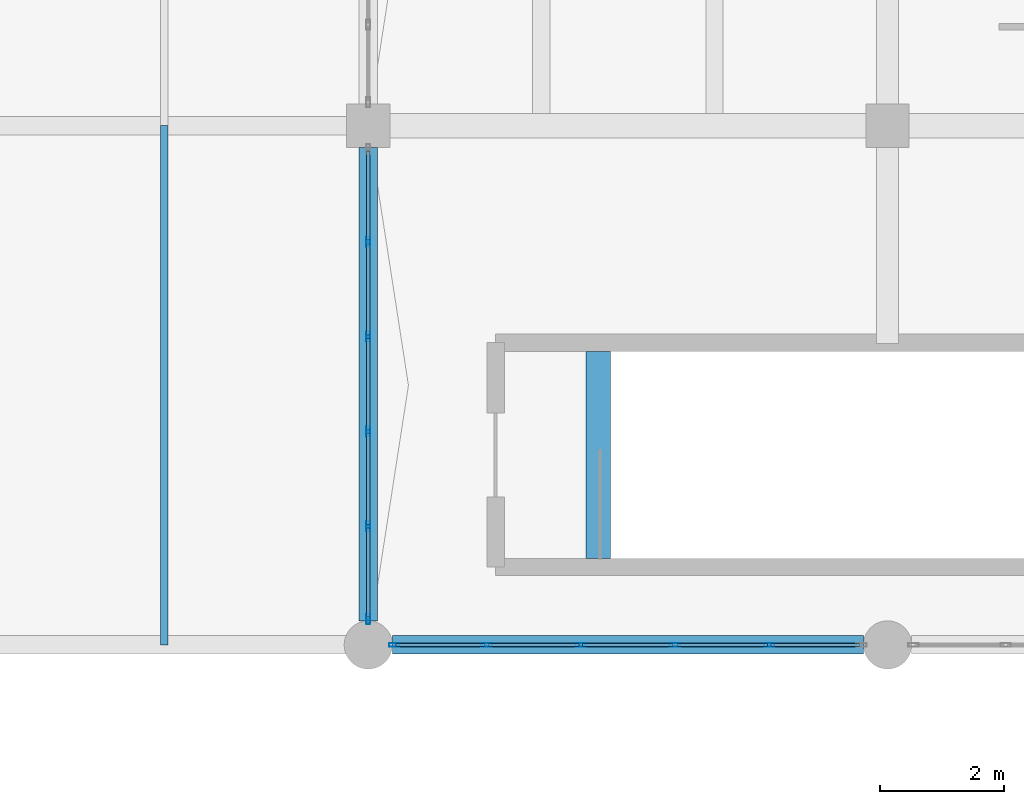
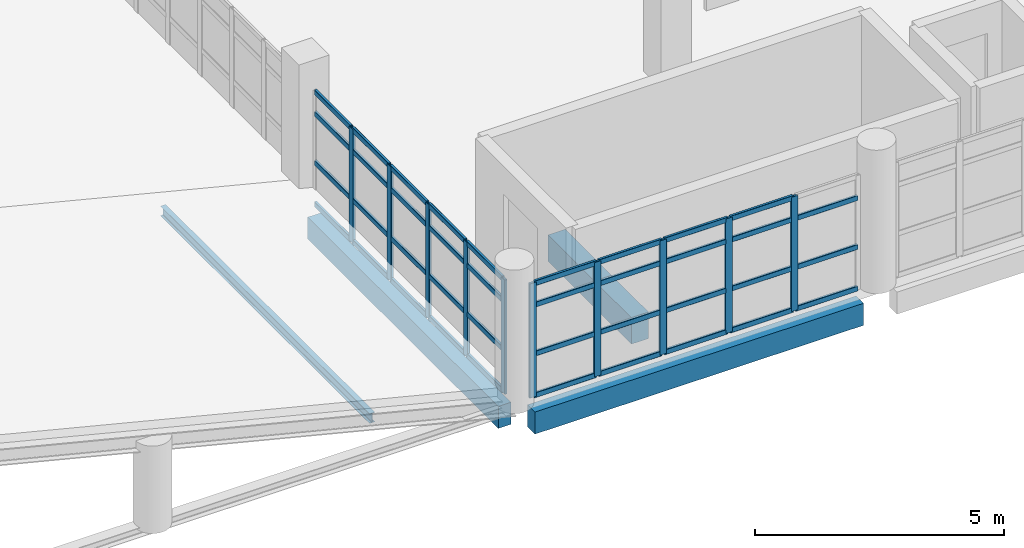
# One storey, part 53 of 95: 50 members, 3 beams, 2 elements without a shape of their own.
"""IFC4 building model written with IfcOpenShell, lengths in metres."""

from ifc_helpers import new_model, si_unit, direction, frame, origin, origin_2d, place, context, subcontext, project, spatial, rectangle, hollow_rectangle, i_section, extrude, material, layer, layer_set, material_profile, profile_set, type_object, element, aggregate, save


model = new_model("IFC4")

# Units and contexts
model_context = context("Model", 3, precision=1e-05, world=origin(), true_north=direction((0.0, 1.0)))
body_context = subcontext(model_context, "Body", "Model", "MODEL_VIEW")
ifc_project = project(units=[si_unit("LENGTHUNIT", "METRE"), si_unit("AREAUNIT", "SQUARE_METRE"), si_unit("VOLUMEUNIT", "CUBIC_METRE"), si_unit("PLANEANGLEUNIT", "RADIAN"), si_unit("MASSUNIT", "GRAM", prefix="KILO"), si_unit("THERMODYNAMICTEMPERATUREUNIT", "KELVIN"), si_unit("POWERUNIT", "WATT")], contexts=[model_context])

# Site, building, storey
site_placement = place(None, origin())
site = spatial("IfcSite", under=ifc_project, at=site_placement, CompositionType="ELEMENT")
building_placement = place(site_placement, origin())
building = spatial("IfcBuilding", under=site, at=building_placement, Name="Mavoryth Pier Ferry Terminal", CompositionType="ELEMENT")
storey_placement = place(building_placement, frame((0.0, 0.0, 9.60009765625)))
storey = spatial("IfcBuildingStorey", under=building, at=storey_placement, Name="L02", CompositionType="ELEMENT", Elevation=9.60009765625)

# Beam
ifc_material_1 = material(Name="Concrete C35/45", Category="concrete")
ifc_material_profile_1 = material_profile(ifc_material_1, rectangle(XDim=0.39990234375, YDim=0.64990234375, at=origin_2d()), Name="RC 400x650", Category="concrete")
ifc_profile_set_1 = profile_set([ifc_material_profile_1], Name="Concrete C35/45 - RC 400x650")
beam_type_1 = type_object("IfcBeamType", Name="Girder-RC-400x650", PredefinedType="BEAM", material=ifc_profile_set_1)
beam_1_placement = place(storey_placement, frame((79.320068359375, 73.800048828125, -0.3251953125), z_axis=(0.0, 1.0, 0.0), x_axis=(-1.0, 0.0, 0.0)))
element("IfcBeam", 1, at=beam_1_placement, inside=storey, type_object=beam_type_1, Name="Beam B02-BG05-1573", PredefinedType="BEAM", context=body_context, shape_type="SweptSolid", body=[
    extrude(rectangle(XDim=0.39990234375, YDim=0.64990234375, at=origin_2d()), origin(), (0.0, 0.0, 1.0), 3.349853515625),
])

# Curtain wall, members
ifc_material_2 = material(Name="Anodised Aluminium and Solar-Control Low-E Glass", Category="aluminium")
ifc_layer = layer(ifc_material_2, 0.159912109375, Name="Anodised Aluminium and Solar-Control Low-E Glass", Category="aluminium")
ifc_layer_set = layer_set([ifc_layer], Name="Anodised Aluminium and Solar-Control Low-E Glass - CW-Arrivals-Mod1400")
curtain_wall_type = type_object("IfcCurtainWallType", Name="CW-Arrivals-Mod1400", PredefinedType="USERDEFINED", material=ifc_layer_set)
curtain_wall_1_placement = place(storey_placement, origin())
curtain_wall_1 = element("IfcCurtainWall", 2, at=curtain_wall_1_placement, inside=storey, type_object=curtain_wall_type, Name="Curtain Wall CW-0222-072", ObjectType="UNITISED CURTAIN WALL", PredefinedType="USERDEFINED")
ifc_material_3 = material(Name="Anodised Aluminium EN AW-6063", Category="aluminium")
ifc_material_profile_2 = material_profile(ifc_material_3, hollow_rectangle(XDim=0.06005859375, YDim=0.1650390625, WallThickness=0.00390625, InnerFilletRadius=0.00390625, OuterFilletRadius=0.008056640625, at=origin_2d()), Name="AL-MULL 165x60x4", Category="aluminium")
ifc_profile_set_2 = profile_set([ifc_material_profile_2], Name="Anodised Aluminium EN AW-6063 - AL-MULL 165x60x4")
member_type_1 = type_object("IfcMemberType", Name="Mullion-Alum-165x60", PredefinedType="MULLION", material=ifc_profile_set_2)
member_1_placement = place(storey_placement, frame((75.60009765625, 78.91796875, 0.0), z_axis=(0.0, 0.0, 1.0), x_axis=(1.0, 0.0, 0.0)))
member_1 = element("IfcMember", 3, at=member_1_placement, type_object=member_type_1, Name="CW04 mullion 2", PredefinedType="MULLION", context=body_context, shape_type="SweptSolid", body=[
    extrude(hollow_rectangle(XDim=0.06005859375, YDim=0.1650390625, WallThickness=0.00390625, InnerFilletRadius=0.00390625, OuterFilletRadius=0.008056640625, at=origin_2d()), origin(), (0.0, 0.0, 1.0), 2.804931640625),
])
member_2_placement = place(storey_placement, frame((75.60009765625, 77.385986328125, 0.0), z_axis=(0.0, 0.0, 1.0), x_axis=(1.0, 0.0, 0.0)))
member_2 = element("IfcMember", 4, at=member_2_placement, type_object=member_type_1, Name="CW04 mullion 3", PredefinedType="MULLION", context=body_context, shape_type="SweptSolid", body=[
    extrude(hollow_rectangle(XDim=0.06005859375, YDim=0.1650390625, WallThickness=0.00390625, InnerFilletRadius=0.00390625, OuterFilletRadius=0.008056640625, at=origin_2d()), origin(), (0.0, 0.0, 1.0), 2.804931640625),
])
member_3_placement = place(storey_placement, frame((75.60009765625, 75.85400390625, 0.0), z_axis=(0.0, 0.0, 1.0), x_axis=(1.0, 0.0, 0.0)))
member_3 = element("IfcMember", 5, at=member_3_placement, type_object=member_type_1, Name="CW04 mullion 4", PredefinedType="MULLION", context=body_context, shape_type="SweptSolid", body=[
    extrude(hollow_rectangle(XDim=0.06005859375, YDim=0.1650390625, WallThickness=0.00390625, InnerFilletRadius=0.00390625, OuterFilletRadius=0.008056640625, at=origin_2d()), origin(), (0.0, 0.0, 1.0), 2.804931640625),
])
member_4_placement = place(storey_placement, frame((75.60009765625, 74.322021484375, 0.0), z_axis=(0.0, 0.0, 1.0), x_axis=(1.0, 0.0, 0.0)))
member_4 = element("IfcMember", 6, at=member_4_placement, type_object=member_type_1, Name="CW04 mullion 5", PredefinedType="MULLION", context=body_context, shape_type="SweptSolid", body=[
    extrude(hollow_rectangle(XDim=0.06005859375, YDim=0.1650390625, WallThickness=0.00390625, InnerFilletRadius=0.00390625, OuterFilletRadius=0.008056640625, at=origin_2d()), origin(), (0.0, 0.0, 1.0), 2.804931640625),
])
member_5_placement = place(storey_placement, frame((75.60009765625, 72.820068359375, 0.0), z_axis=(0.0, 0.0, 1.0), x_axis=(1.0, 0.0, 0.0)))
member_5 = element("IfcMember", 7, at=member_5_placement, type_object=member_type_1, Name="CW04 mullion 6", PredefinedType="MULLION", context=body_context, shape_type="SweptSolid", body=[
    extrude(hollow_rectangle(XDim=0.06005859375, YDim=0.1650390625, WallThickness=0.00390625, InnerFilletRadius=0.00390625, OuterFilletRadius=0.008056640625, at=origin_2d()), origin(), (0.0, 0.0, 1.0), 2.804931640625),
])

curtain_wall_2_placement = place(storey_placement, origin())
curtain_wall_2 = element("IfcCurtainWall", 8, at=curtain_wall_2_placement, inside=storey, type_object=curtain_wall_type, Name="Curtain Wall CW-0222-075", ObjectType="UNITISED CURTAIN WALL", PredefinedType="USERDEFINED")
member_6_placement = place(storey_placement, frame((76.02001953125, 72.39990234375, 0.0), z_axis=(0.0, 0.0, 1.0), x_axis=(0.0, 1.0, 0.0)))
member_6 = element("IfcMember", 9, at=member_6_placement, type_object=member_type_1, Name="CW04 mullion 1", PredefinedType="MULLION", context=body_context, shape_type="SweptSolid", body=[
    extrude(hollow_rectangle(XDim=0.06005859375, YDim=0.1650390625, WallThickness=0.00390625, InnerFilletRadius=0.00390625, OuterFilletRadius=0.008056640625, at=origin_2d()), origin(), (0.0, 0.0, 1.0), 2.804931640625),
])
member_7_placement = place(storey_placement, frame((77.513916015625, 72.39990234375, 0.0), z_axis=(0.0, 0.0, 1.0), x_axis=(0.0, 1.0, 0.0)))
member_7 = element("IfcMember", 10, at=member_7_placement, type_object=member_type_1, Name="CW04 mullion 2", PredefinedType="MULLION", context=body_context, shape_type="SweptSolid", body=[
    extrude(hollow_rectangle(XDim=0.06005859375, YDim=0.1650390625, WallThickness=0.00390625, InnerFilletRadius=0.00390625, OuterFilletRadius=0.008056640625, at=origin_2d()), origin(), (0.0, 0.0, 1.0), 2.804931640625),
])
member_8_placement = place(storey_placement, frame((79.0380859375, 72.39990234375, 0.0), z_axis=(0.0, 0.0, 1.0), x_axis=(0.0, 1.0, 0.0)))
member_8 = element("IfcMember", 11, at=member_8_placement, type_object=member_type_1, Name="CW04 mullion 3", PredefinedType="MULLION", context=body_context, shape_type="SweptSolid", body=[
    extrude(hollow_rectangle(XDim=0.06005859375, YDim=0.1650390625, WallThickness=0.00390625, InnerFilletRadius=0.00390625, OuterFilletRadius=0.008056640625, at=origin_2d()), origin(), (0.0, 0.0, 1.0), 2.804931640625),
])
member_9_placement = place(storey_placement, frame((80.56201171875, 72.39990234375, 0.0), z_axis=(0.0, 0.0, 1.0), x_axis=(0.0, 1.0, 0.0)))
member_9 = element("IfcMember", 12, at=member_9_placement, type_object=member_type_1, Name="CW04 mullion 4", PredefinedType="MULLION", context=body_context, shape_type="SweptSolid", body=[
    extrude(hollow_rectangle(XDim=0.06005859375, YDim=0.1650390625, WallThickness=0.00390625, InnerFilletRadius=0.00390625, OuterFilletRadius=0.008056640625, at=origin_2d()), origin(), (0.0, 0.0, 1.0), 2.804931640625),
])
member_10_placement = place(storey_placement, frame((82.0859375, 72.39990234375, 0.0), z_axis=(0.0, 0.0, 1.0), x_axis=(0.0, 1.0, 0.0)))
member_10 = element("IfcMember", 13, at=member_10_placement, type_object=member_type_1, Name="CW04 mullion 5", PredefinedType="MULLION", context=body_context, shape_type="SweptSolid", body=[
    extrude(hollow_rectangle(XDim=0.06005859375, YDim=0.1650390625, WallThickness=0.00390625, InnerFilletRadius=0.00390625, OuterFilletRadius=0.008056640625, at=origin_2d()), origin(), (0.0, 0.0, 1.0), 2.804931640625),
])

# Member
ifc_material_4 = material(Name="Steel S355J2", Category="steel")
ifc_material_profile_3 = material_profile(ifc_material_4, i_section(OverallWidth=0.1201171875, OverallDepth=0.239990234375, WebThickness=0.006103515625, FlangeThickness=0.009765625, FilletRadius=0.014892578125, at=origin_2d()), Name="IPE 240", Category="steel")
ifc_profile_set_3 = profile_set([ifc_material_profile_3], Name="Steel S355J2 - IPE 240")
member_type_2 = type_object("IfcMemberType", Name="Purlin-Roof-IPE240", PredefinedType="PURLIN", material=ifc_profile_set_3)
member_11_placement = place(storey_placement, frame((72.300048828125, 72.39990234375, 0.78076171875), z_axis=(0.0, 1.0, 0.0), x_axis=(-1.0, 0.0, 0.0)))
element("IfcMember", 14, at=member_11_placement, inside=storey, type_object=member_type_2, Name="Steel Member MB-L02-0211", PredefinedType="PURLIN", context=body_context, shape_type="SweptSolid", body=[
    extrude(i_section(OverallWidth=0.1201171875, OverallDepth=0.239990234375, WebThickness=0.006103515625, FlangeThickness=0.009765625, FilletRadius=0.014892578125, at=origin_2d()), origin(), (0.0, 0.0, 1.0), 8.400146484375),
])

# Beams
ifc_material_profile_4 = material_profile(ifc_material_1, rectangle(XDim=0.300048828125, YDim=0.5400390625, at=origin_2d()), Name="RC 300x540", Category="concrete")
ifc_profile_set_4 = profile_set([ifc_material_profile_4], Name="Concrete C35/45 - RC 300x540")
beam_type_2 = type_object("IfcBeamType", Name="Spandrel-RC-300x540", PredefinedType="SPANDREL", material=ifc_profile_set_4)
beam_2_placement = place(storey_placement, frame((75.989990234375, 72.39990234375, -0.550048828125), z_axis=(1.0, 0.0, 0.0), x_axis=(0.0, 1.0, 0.0)))
element("IfcBeam", 15, at=beam_2_placement, inside=storey, type_object=beam_type_2, Name="Beam B02-SP02-0718", PredefinedType="SPANDREL", context=body_context, shape_type="SweptSolid", body=[
    extrude(rectangle(XDim=0.300048828125, YDim=0.5400390625, at=origin_2d()), origin(), (0.0, 0.0, 1.0), 7.6201171875),
])
beam_3_placement = place(storey_placement, frame((75.60009765625, 72.7900390625, -0.550048828125), z_axis=(0.0, 1.0, 0.0), x_axis=(-1.0, 0.0, 0.0)))
element("IfcBeam", 16, at=beam_3_placement, inside=storey, type_object=beam_type_2, Name="Beam B02-SP02-0728", PredefinedType="SPANDREL", context=body_context, shape_type="SweptSolid", body=[
    extrude(rectangle(XDim=0.300048828125, YDim=0.5400390625, at=origin_2d()), origin(), (0.0, 0.0, 1.0), 7.659912109375),
])

# Member
ifc_material_profile_5 = material_profile(ifc_material_3, hollow_rectangle(XDim=0.06005859375, YDim=0.125, WallThickness=0.00390625, InnerFilletRadius=0.00390625, OuterFilletRadius=0.008056640625, at=origin_2d()), Name="AL-TRAN 125x60x4", Category="aluminium")
ifc_profile_set_5 = profile_set([ifc_material_profile_5], Name="Anodised Aluminium EN AW-6063 - AL-TRAN 125x60x4")
member_type_3 = type_object("IfcMemberType", Name="Transom-Alum-125x60", PredefinedType="USERDEFINED", material=ifc_profile_set_5)
member_12_placement = place(storey_placement, frame((75.60009765625, 80.389892578125, 0.02978515625), z_axis=(0.0, -1.0, 0.0), x_axis=(1.0, 0.0, 0.0)))
member_12 = element("IfcMember", 17, at=member_12_placement, type_object=member_type_3, Name="CW04 transom 1.1", ObjectType="TRANSOM", PredefinedType="USERDEFINED", context=body_context, shape_type="SweptSolid", body=[
    extrude(hollow_rectangle(XDim=0.06005859375, YDim=0.125, WallThickness=0.00390625, InnerFilletRadius=0.00390625, OuterFilletRadius=0.008056640625, at=origin_2d()), origin(), (0.0, 0.0, 1.0), 1.44189453125),
])

member_13_placement = place(storey_placement, frame((75.60009765625, 80.389892578125, 1.0498046875), z_axis=(0.0, -1.0, 0.0), x_axis=(1.0, 0.0, 0.0)))
member_13 = element("IfcMember", 18, at=member_13_placement, type_object=member_type_3, Name="CW04 transom 1.2", ObjectType="TRANSOM", PredefinedType="USERDEFINED", context=body_context, shape_type="SweptSolid", body=[
    extrude(hollow_rectangle(XDim=0.06005859375, YDim=0.125, WallThickness=0.00390625, InnerFilletRadius=0.00390625, OuterFilletRadius=0.008056640625, at=origin_2d()), origin(), (0.0, 0.0, 1.0), 1.44189453125),
])

member_14_placement = place(storey_placement, frame((75.60009765625, 80.389892578125, 2.25), z_axis=(0.0, -1.0, 0.0), x_axis=(1.0, 0.0, 0.0)))
member_14 = element("IfcMember", 19, at=member_14_placement, type_object=member_type_3, Name="CW04 transom 1.3", ObjectType="TRANSOM", PredefinedType="USERDEFINED", context=body_context, shape_type="SweptSolid", body=[
    extrude(hollow_rectangle(XDim=0.06005859375, YDim=0.125, WallThickness=0.00390625, InnerFilletRadius=0.00390625, OuterFilletRadius=0.008056640625, at=origin_2d()), origin(), (0.0, 0.0, 1.0), 1.44189453125),
])

member_15_placement = place(storey_placement, frame((75.60009765625, 80.389892578125, 2.77490234375), z_axis=(0.0, -1.0, 0.0), x_axis=(1.0, 0.0, 0.0)))
member_15 = element("IfcMember", 20, at=member_15_placement, type_object=member_type_3, Name="CW04 transom 1.4", ObjectType="TRANSOM", PredefinedType="USERDEFINED", context=body_context, shape_type="SweptSolid", body=[
    extrude(hollow_rectangle(XDim=0.06005859375, YDim=0.125, WallThickness=0.00390625, InnerFilletRadius=0.00390625, OuterFilletRadius=0.008056640625, at=origin_2d()), origin(), (0.0, 0.0, 1.0), 1.44189453125),
])

member_16_placement = place(storey_placement, frame((75.60009765625, 78.887939453125, 0.02978515625), z_axis=(0.0, -1.0, 0.0), x_axis=(1.0, 0.0, 0.0)))
member_16 = element("IfcMember", 21, at=member_16_placement, type_object=member_type_3, Name="CW04 transom 2.1", ObjectType="TRANSOM", PredefinedType="USERDEFINED", context=body_context, shape_type="SweptSolid", body=[
    extrude(hollow_rectangle(XDim=0.06005859375, YDim=0.125, WallThickness=0.00390625, InnerFilletRadius=0.00390625, OuterFilletRadius=0.008056640625, at=origin_2d()), origin(), (0.0, 0.0, 1.0), 1.471923828125),
])

member_17_placement = place(storey_placement, frame((75.60009765625, 78.887939453125, 1.0498046875), z_axis=(0.0, -1.0, 0.0), x_axis=(1.0, 0.0, 0.0)))
member_17 = element("IfcMember", 22, at=member_17_placement, type_object=member_type_3, Name="CW04 transom 2.2", ObjectType="TRANSOM", PredefinedType="USERDEFINED", context=body_context, shape_type="SweptSolid", body=[
    extrude(hollow_rectangle(XDim=0.06005859375, YDim=0.125, WallThickness=0.00390625, InnerFilletRadius=0.00390625, OuterFilletRadius=0.008056640625, at=origin_2d()), origin(), (0.0, 0.0, 1.0), 1.471923828125),
])

member_18_placement = place(storey_placement, frame((75.60009765625, 78.887939453125, 2.25), z_axis=(0.0, -1.0, 0.0), x_axis=(1.0, 0.0, 0.0)))
member_18 = element("IfcMember", 23, at=member_18_placement, type_object=member_type_3, Name="CW04 transom 2.3", ObjectType="TRANSOM", PredefinedType="USERDEFINED", context=body_context, shape_type="SweptSolid", body=[
    extrude(hollow_rectangle(XDim=0.06005859375, YDim=0.125, WallThickness=0.00390625, InnerFilletRadius=0.00390625, OuterFilletRadius=0.008056640625, at=origin_2d()), origin(), (0.0, 0.0, 1.0), 1.471923828125),
])

member_19_placement = place(storey_placement, frame((75.60009765625, 78.887939453125, 2.77490234375), z_axis=(0.0, -1.0, 0.0), x_axis=(1.0, 0.0, 0.0)))
member_19 = element("IfcMember", 24, at=member_19_placement, type_object=member_type_3, Name="CW04 transom 2.4", ObjectType="TRANSOM", PredefinedType="USERDEFINED", context=body_context, shape_type="SweptSolid", body=[
    extrude(hollow_rectangle(XDim=0.06005859375, YDim=0.125, WallThickness=0.00390625, InnerFilletRadius=0.00390625, OuterFilletRadius=0.008056640625, at=origin_2d()), origin(), (0.0, 0.0, 1.0), 1.471923828125),
])

member_20_placement = place(storey_placement, frame((75.60009765625, 77.35595703125, 0.02978515625), z_axis=(0.0, -1.0, 0.0), x_axis=(1.0, 0.0, 0.0)))
member_20 = element("IfcMember", 25, at=member_20_placement, type_object=member_type_3, Name="CW04 transom 3.1", ObjectType="TRANSOM", PredefinedType="USERDEFINED", context=body_context, shape_type="SweptSolid", body=[
    extrude(hollow_rectangle(XDim=0.06005859375, YDim=0.125, WallThickness=0.00390625, InnerFilletRadius=0.00390625, OuterFilletRadius=0.008056640625, at=origin_2d()), origin(), (0.0, 0.0, 1.0), 1.471923828125),
])

member_21_placement = place(storey_placement, frame((75.60009765625, 77.35595703125, 1.0498046875), z_axis=(0.0, -1.0, 0.0), x_axis=(1.0, 0.0, 0.0)))
member_21 = element("IfcMember", 26, at=member_21_placement, type_object=member_type_3, Name="CW04 transom 3.2", ObjectType="TRANSOM", PredefinedType="USERDEFINED", context=body_context, shape_type="SweptSolid", body=[
    extrude(hollow_rectangle(XDim=0.06005859375, YDim=0.125, WallThickness=0.00390625, InnerFilletRadius=0.00390625, OuterFilletRadius=0.008056640625, at=origin_2d()), origin(), (0.0, 0.0, 1.0), 1.471923828125),
])

member_22_placement = place(storey_placement, frame((75.60009765625, 77.35595703125, 2.25), z_axis=(0.0, -1.0, 0.0), x_axis=(1.0, 0.0, 0.0)))
member_22 = element("IfcMember", 27, at=member_22_placement, type_object=member_type_3, Name="CW04 transom 3.3", ObjectType="TRANSOM", PredefinedType="USERDEFINED", context=body_context, shape_type="SweptSolid", body=[
    extrude(hollow_rectangle(XDim=0.06005859375, YDim=0.125, WallThickness=0.00390625, InnerFilletRadius=0.00390625, OuterFilletRadius=0.008056640625, at=origin_2d()), origin(), (0.0, 0.0, 1.0), 1.471923828125),
])

member_23_placement = place(storey_placement, frame((75.60009765625, 77.35595703125, 2.77490234375), z_axis=(0.0, -1.0, 0.0), x_axis=(1.0, 0.0, 0.0)))
member_23 = element("IfcMember", 28, at=member_23_placement, type_object=member_type_3, Name="CW04 transom 3.4", ObjectType="TRANSOM", PredefinedType="USERDEFINED", context=body_context, shape_type="SweptSolid", body=[
    extrude(hollow_rectangle(XDim=0.06005859375, YDim=0.125, WallThickness=0.00390625, InnerFilletRadius=0.00390625, OuterFilletRadius=0.008056640625, at=origin_2d()), origin(), (0.0, 0.0, 1.0), 1.471923828125),
])

member_24_placement = place(storey_placement, frame((75.60009765625, 75.823974609375, 0.02978515625), z_axis=(0.0, -1.0, 0.0), x_axis=(1.0, 0.0, 0.0)))
member_24 = element("IfcMember", 29, at=member_24_placement, type_object=member_type_3, Name="CW04 transom 4.1", ObjectType="TRANSOM", PredefinedType="USERDEFINED", context=body_context, shape_type="SweptSolid", body=[
    extrude(hollow_rectangle(XDim=0.06005859375, YDim=0.125, WallThickness=0.00390625, InnerFilletRadius=0.00390625, OuterFilletRadius=0.008056640625, at=origin_2d()), origin(), (0.0, 0.0, 1.0), 1.471923828125),
])

member_25_placement = place(storey_placement, frame((75.60009765625, 75.823974609375, 1.0498046875), z_axis=(0.0, -1.0, 0.0), x_axis=(1.0, 0.0, 0.0)))
member_25 = element("IfcMember", 30, at=member_25_placement, type_object=member_type_3, Name="CW04 transom 4.2", ObjectType="TRANSOM", PredefinedType="USERDEFINED", context=body_context, shape_type="SweptSolid", body=[
    extrude(hollow_rectangle(XDim=0.06005859375, YDim=0.125, WallThickness=0.00390625, InnerFilletRadius=0.00390625, OuterFilletRadius=0.008056640625, at=origin_2d()), origin(), (0.0, 0.0, 1.0), 1.471923828125),
])

member_26_placement = place(storey_placement, frame((75.60009765625, 75.823974609375, 2.25), z_axis=(0.0, -1.0, 0.0), x_axis=(1.0, 0.0, 0.0)))
member_26 = element("IfcMember", 31, at=member_26_placement, type_object=member_type_3, Name="CW04 transom 4.3", ObjectType="TRANSOM", PredefinedType="USERDEFINED", context=body_context, shape_type="SweptSolid", body=[
    extrude(hollow_rectangle(XDim=0.06005859375, YDim=0.125, WallThickness=0.00390625, InnerFilletRadius=0.00390625, OuterFilletRadius=0.008056640625, at=origin_2d()), origin(), (0.0, 0.0, 1.0), 1.471923828125),
])

member_27_placement = place(storey_placement, frame((75.60009765625, 75.823974609375, 2.77490234375), z_axis=(0.0, -1.0, 0.0), x_axis=(1.0, 0.0, 0.0)))
member_27 = element("IfcMember", 32, at=member_27_placement, type_object=member_type_3, Name="CW04 transom 4.4", ObjectType="TRANSOM", PredefinedType="USERDEFINED", context=body_context, shape_type="SweptSolid", body=[
    extrude(hollow_rectangle(XDim=0.06005859375, YDim=0.125, WallThickness=0.00390625, InnerFilletRadius=0.00390625, OuterFilletRadius=0.008056640625, at=origin_2d()), origin(), (0.0, 0.0, 1.0), 1.471923828125),
])

member_28_placement = place(storey_placement, frame((75.60009765625, 74.2919921875, 0.02978515625), z_axis=(0.0, -1.0, 0.0), x_axis=(1.0, 0.0, 0.0)))
member_28 = element("IfcMember", 33, at=member_28_placement, type_object=member_type_3, Name="CW04 transom 5.1", ObjectType="TRANSOM", PredefinedType="USERDEFINED", context=body_context, shape_type="SweptSolid", body=[
    extrude(hollow_rectangle(XDim=0.06005859375, YDim=0.125, WallThickness=0.00390625, InnerFilletRadius=0.00390625, OuterFilletRadius=0.008056640625, at=origin_2d()), origin(), (0.0, 0.0, 1.0), 1.44189453125),
])

member_29_placement = place(storey_placement, frame((75.60009765625, 74.2919921875, 1.0498046875), z_axis=(0.0, -1.0, 0.0), x_axis=(1.0, 0.0, 0.0)))
member_29 = element("IfcMember", 34, at=member_29_placement, type_object=member_type_3, Name="CW04 transom 5.2", ObjectType="TRANSOM", PredefinedType="USERDEFINED", context=body_context, shape_type="SweptSolid", body=[
    extrude(hollow_rectangle(XDim=0.06005859375, YDim=0.125, WallThickness=0.00390625, InnerFilletRadius=0.00390625, OuterFilletRadius=0.008056640625, at=origin_2d()), origin(), (0.0, 0.0, 1.0), 1.44189453125),
])

member_30_placement = place(storey_placement, frame((75.60009765625, 74.2919921875, 2.25), z_axis=(0.0, -1.0, 0.0), x_axis=(1.0, 0.0, 0.0)))
member_30 = element("IfcMember", 35, at=member_30_placement, type_object=member_type_3, Name="CW04 transom 5.3", ObjectType="TRANSOM", PredefinedType="USERDEFINED", context=body_context, shape_type="SweptSolid", body=[
    extrude(hollow_rectangle(XDim=0.06005859375, YDim=0.125, WallThickness=0.00390625, InnerFilletRadius=0.00390625, OuterFilletRadius=0.008056640625, at=origin_2d()), origin(), (0.0, 0.0, 1.0), 1.44189453125),
])

member_31_placement = place(storey_placement, frame((75.60009765625, 74.2919921875, 2.77490234375), z_axis=(0.0, -1.0, 0.0), x_axis=(1.0, 0.0, 0.0)))
member_31 = element("IfcMember", 36, at=member_31_placement, type_object=member_type_3, Name="CW04 transom 5.4", ObjectType="TRANSOM", PredefinedType="USERDEFINED", context=body_context, shape_type="SweptSolid", body=[
    extrude(hollow_rectangle(XDim=0.06005859375, YDim=0.125, WallThickness=0.00390625, InnerFilletRadius=0.00390625, OuterFilletRadius=0.008056640625, at=origin_2d()), origin(), (0.0, 0.0, 1.0), 1.44189453125),
])

aggregate(curtain_wall_1, [member_1, member_2, member_3, member_4, member_5, member_12, member_13, member_14, member_15, member_16, member_17, member_18, member_19, member_20, member_21, member_22, member_23, member_24, member_25, member_26, member_27, member_28, member_29, member_30, member_31])

member_32_placement = place(storey_placement, frame((76.050048828125, 72.39990234375, 0.02978515625), z_axis=(1.0, 0.0, 0.0), x_axis=(0.0, 1.0, 0.0)))
member_32 = element("IfcMember", 37, at=member_32_placement, type_object=member_type_3, Name="CW04 transom 1.1", ObjectType="TRANSOM", PredefinedType="USERDEFINED", context=body_context, shape_type="SweptSolid", body=[
    extrude(hollow_rectangle(XDim=0.06005859375, YDim=0.125, WallThickness=0.00390625, InnerFilletRadius=0.00390625, OuterFilletRadius=0.008056640625, at=origin_2d()), origin(), (0.0, 0.0, 1.0), 1.433837890625),
])

member_33_placement = place(storey_placement, frame((76.050048828125, 72.39990234375, 1.0498046875), z_axis=(1.0, 0.0, 0.0), x_axis=(0.0, 1.0, 0.0)))
member_33 = element("IfcMember", 38, at=member_33_placement, type_object=member_type_3, Name="CW04 transom 1.2", ObjectType="TRANSOM", PredefinedType="USERDEFINED", context=body_context, shape_type="SweptSolid", body=[
    extrude(hollow_rectangle(XDim=0.06005859375, YDim=0.125, WallThickness=0.00390625, InnerFilletRadius=0.00390625, OuterFilletRadius=0.008056640625, at=origin_2d()), origin(), (0.0, 0.0, 1.0), 1.433837890625),
])

member_34_placement = place(storey_placement, frame((76.050048828125, 72.39990234375, 2.25), z_axis=(1.0, 0.0, 0.0), x_axis=(0.0, 1.0, 0.0)))
member_34 = element("IfcMember", 39, at=member_34_placement, type_object=member_type_3, Name="CW04 transom 1.3", ObjectType="TRANSOM", PredefinedType="USERDEFINED", context=body_context, shape_type="SweptSolid", body=[
    extrude(hollow_rectangle(XDim=0.06005859375, YDim=0.125, WallThickness=0.00390625, InnerFilletRadius=0.00390625, OuterFilletRadius=0.008056640625, at=origin_2d()), origin(), (0.0, 0.0, 1.0), 1.433837890625),
])

member_35_placement = place(storey_placement, frame((76.050048828125, 72.39990234375, 2.77490234375), z_axis=(1.0, 0.0, 0.0), x_axis=(0.0, 1.0, 0.0)))
member_35 = element("IfcMember", 40, at=member_35_placement, type_object=member_type_3, Name="CW04 transom 1.4", ObjectType="TRANSOM", PredefinedType="USERDEFINED", context=body_context, shape_type="SweptSolid", body=[
    extrude(hollow_rectangle(XDim=0.06005859375, YDim=0.125, WallThickness=0.00390625, InnerFilletRadius=0.00390625, OuterFilletRadius=0.008056640625, at=origin_2d()), origin(), (0.0, 0.0, 1.0), 1.433837890625),
])

member_36_placement = place(storey_placement, frame((77.5439453125, 72.39990234375, 0.02978515625), z_axis=(1.0, 0.0, 0.0), x_axis=(0.0, 1.0, 0.0)))
member_36 = element("IfcMember", 41, at=member_36_placement, type_object=member_type_3, Name="CW04 transom 2.1", ObjectType="TRANSOM", PredefinedType="USERDEFINED", context=body_context, shape_type="SweptSolid", body=[
    extrude(hollow_rectangle(XDim=0.06005859375, YDim=0.125, WallThickness=0.00390625, InnerFilletRadius=0.00390625, OuterFilletRadius=0.008056640625, at=origin_2d()), origin(), (0.0, 0.0, 1.0), 1.464111328125),
])

member_37_placement = place(storey_placement, frame((77.5439453125, 72.39990234375, 1.0498046875), z_axis=(1.0, 0.0, 0.0), x_axis=(0.0, 1.0, 0.0)))
member_37 = element("IfcMember", 42, at=member_37_placement, type_object=member_type_3, Name="CW04 transom 2.2", ObjectType="TRANSOM", PredefinedType="USERDEFINED", context=body_context, shape_type="SweptSolid", body=[
    extrude(hollow_rectangle(XDim=0.06005859375, YDim=0.125, WallThickness=0.00390625, InnerFilletRadius=0.00390625, OuterFilletRadius=0.008056640625, at=origin_2d()), origin(), (0.0, 0.0, 1.0), 1.464111328125),
])

member_38_placement = place(storey_placement, frame((77.5439453125, 72.39990234375, 2.25), z_axis=(1.0, 0.0, 0.0), x_axis=(0.0, 1.0, 0.0)))
member_38 = element("IfcMember", 43, at=member_38_placement, type_object=member_type_3, Name="CW04 transom 2.3", ObjectType="TRANSOM", PredefinedType="USERDEFINED", context=body_context, shape_type="SweptSolid", body=[
    extrude(hollow_rectangle(XDim=0.06005859375, YDim=0.125, WallThickness=0.00390625, InnerFilletRadius=0.00390625, OuterFilletRadius=0.008056640625, at=origin_2d()), origin(), (0.0, 0.0, 1.0), 1.464111328125),
])

member_39_placement = place(storey_placement, frame((77.5439453125, 72.39990234375, 2.77490234375), z_axis=(1.0, 0.0, 0.0), x_axis=(0.0, 1.0, 0.0)))
member_39 = element("IfcMember", 44, at=member_39_placement, type_object=member_type_3, Name="CW04 transom 2.4", ObjectType="TRANSOM", PredefinedType="USERDEFINED", context=body_context, shape_type="SweptSolid", body=[
    extrude(hollow_rectangle(XDim=0.06005859375, YDim=0.125, WallThickness=0.00390625, InnerFilletRadius=0.00390625, OuterFilletRadius=0.008056640625, at=origin_2d()), origin(), (0.0, 0.0, 1.0), 1.464111328125),
])

member_40_placement = place(storey_placement, frame((79.068115234375, 72.39990234375, 0.02978515625), z_axis=(1.0, 0.0, 0.0), x_axis=(0.0, 1.0, 0.0)))
member_40 = element("IfcMember", 45, at=member_40_placement, type_object=member_type_3, Name="CW04 transom 3.1", ObjectType="TRANSOM", PredefinedType="USERDEFINED", context=body_context, shape_type="SweptSolid", body=[
    extrude(hollow_rectangle(XDim=0.06005859375, YDim=0.125, WallThickness=0.00390625, InnerFilletRadius=0.00390625, OuterFilletRadius=0.008056640625, at=origin_2d()), origin(), (0.0, 0.0, 1.0), 1.4638671875),
])

member_41_placement = place(storey_placement, frame((79.068115234375, 72.39990234375, 1.0498046875), z_axis=(1.0, 0.0, 0.0), x_axis=(0.0, 1.0, 0.0)))
member_41 = element("IfcMember", 46, at=member_41_placement, type_object=member_type_3, Name="CW04 transom 3.2", ObjectType="TRANSOM", PredefinedType="USERDEFINED", context=body_context, shape_type="SweptSolid", body=[
    extrude(hollow_rectangle(XDim=0.06005859375, YDim=0.125, WallThickness=0.00390625, InnerFilletRadius=0.00390625, OuterFilletRadius=0.008056640625, at=origin_2d()), origin(), (0.0, 0.0, 1.0), 1.4638671875),
])

member_42_placement = place(storey_placement, frame((79.068115234375, 72.39990234375, 2.25), z_axis=(1.0, 0.0, 0.0), x_axis=(0.0, 1.0, 0.0)))
member_42 = element("IfcMember", 47, at=member_42_placement, type_object=member_type_3, Name="CW04 transom 3.3", ObjectType="TRANSOM", PredefinedType="USERDEFINED", context=body_context, shape_type="SweptSolid", body=[
    extrude(hollow_rectangle(XDim=0.06005859375, YDim=0.125, WallThickness=0.00390625, InnerFilletRadius=0.00390625, OuterFilletRadius=0.008056640625, at=origin_2d()), origin(), (0.0, 0.0, 1.0), 1.4638671875),
])

member_43_placement = place(storey_placement, frame((79.068115234375, 72.39990234375, 2.77490234375), z_axis=(1.0, 0.0, 0.0), x_axis=(0.0, 1.0, 0.0)))
member_43 = element("IfcMember", 48, at=member_43_placement, type_object=member_type_3, Name="CW04 transom 3.4", ObjectType="TRANSOM", PredefinedType="USERDEFINED", context=body_context, shape_type="SweptSolid", body=[
    extrude(hollow_rectangle(XDim=0.06005859375, YDim=0.125, WallThickness=0.00390625, InnerFilletRadius=0.00390625, OuterFilletRadius=0.008056640625, at=origin_2d()), origin(), (0.0, 0.0, 1.0), 1.4638671875),
])

member_44_placement = place(storey_placement, frame((80.592041015625, 72.39990234375, 0.02978515625), z_axis=(1.0, 0.0, 0.0), x_axis=(0.0, 1.0, 0.0)))
member_44 = element("IfcMember", 49, at=member_44_placement, type_object=member_type_3, Name="CW04 transom 4.1", ObjectType="TRANSOM", PredefinedType="USERDEFINED", context=body_context, shape_type="SweptSolid", body=[
    extrude(hollow_rectangle(XDim=0.06005859375, YDim=0.125, WallThickness=0.00390625, InnerFilletRadius=0.00390625, OuterFilletRadius=0.008056640625, at=origin_2d()), origin(), (0.0, 0.0, 1.0), 1.4638671875),
])

member_45_placement = place(storey_placement, frame((80.592041015625, 72.39990234375, 1.0498046875), z_axis=(1.0, 0.0, 0.0), x_axis=(0.0, 1.0, 0.0)))
member_45 = element("IfcMember", 50, at=member_45_placement, type_object=member_type_3, Name="CW04 transom 4.2", ObjectType="TRANSOM", PredefinedType="USERDEFINED", context=body_context, shape_type="SweptSolid", body=[
    extrude(hollow_rectangle(XDim=0.06005859375, YDim=0.125, WallThickness=0.00390625, InnerFilletRadius=0.00390625, OuterFilletRadius=0.008056640625, at=origin_2d()), origin(), (0.0, 0.0, 1.0), 1.4638671875),
])

member_46_placement = place(storey_placement, frame((80.592041015625, 72.39990234375, 2.25), z_axis=(1.0, 0.0, 0.0), x_axis=(0.0, 1.0, 0.0)))
member_46 = element("IfcMember", 51, at=member_46_placement, type_object=member_type_3, Name="CW04 transom 4.3", ObjectType="TRANSOM", PredefinedType="USERDEFINED", context=body_context, shape_type="SweptSolid", body=[
    extrude(hollow_rectangle(XDim=0.06005859375, YDim=0.125, WallThickness=0.00390625, InnerFilletRadius=0.00390625, OuterFilletRadius=0.008056640625, at=origin_2d()), origin(), (0.0, 0.0, 1.0), 1.4638671875),
])

member_47_placement = place(storey_placement, frame((80.592041015625, 72.39990234375, 2.77490234375), z_axis=(1.0, 0.0, 0.0), x_axis=(0.0, 1.0, 0.0)))
member_47 = element("IfcMember", 52, at=member_47_placement, type_object=member_type_3, Name="CW04 transom 4.4", ObjectType="TRANSOM", PredefinedType="USERDEFINED", context=body_context, shape_type="SweptSolid", body=[
    extrude(hollow_rectangle(XDim=0.06005859375, YDim=0.125, WallThickness=0.00390625, InnerFilletRadius=0.00390625, OuterFilletRadius=0.008056640625, at=origin_2d()), origin(), (0.0, 0.0, 1.0), 1.4638671875),
])

member_48_placement = place(storey_placement, frame((82.115966796875, 72.39990234375, 0.02978515625), z_axis=(1.0, 0.0, 0.0), x_axis=(0.0, 1.0, 0.0)))
member_48 = element("IfcMember", 53, at=member_48_placement, type_object=member_type_3, Name="CW04 transom 5.1", ObjectType="TRANSOM", PredefinedType="USERDEFINED", context=body_context, shape_type="SweptSolid", body=[
    extrude(hollow_rectangle(XDim=0.06005859375, YDim=0.125, WallThickness=0.00390625, InnerFilletRadius=0.00390625, OuterFilletRadius=0.008056640625, at=origin_2d()), origin(), (0.0, 0.0, 1.0), 1.43408203125),
])

member_49_placement = place(storey_placement, frame((82.115966796875, 72.39990234375, 1.0498046875), z_axis=(1.0, 0.0, 0.0), x_axis=(0.0, 1.0, 0.0)))
member_49 = element("IfcMember", 54, at=member_49_placement, type_object=member_type_3, Name="CW04 transom 5.2", ObjectType="TRANSOM", PredefinedType="USERDEFINED", context=body_context, shape_type="SweptSolid", body=[
    extrude(hollow_rectangle(XDim=0.06005859375, YDim=0.125, WallThickness=0.00390625, InnerFilletRadius=0.00390625, OuterFilletRadius=0.008056640625, at=origin_2d()), origin(), (0.0, 0.0, 1.0), 1.43408203125),
])

member_50_placement = place(storey_placement, frame((82.115966796875, 72.39990234375, 2.25), z_axis=(1.0, 0.0, 0.0), x_axis=(0.0, 1.0, 0.0)))
member_50 = element("IfcMember", 55, at=member_50_placement, type_object=member_type_3, Name="CW04 transom 5.3", ObjectType="TRANSOM", PredefinedType="USERDEFINED", context=body_context, shape_type="SweptSolid", body=[
    extrude(hollow_rectangle(XDim=0.06005859375, YDim=0.125, WallThickness=0.00390625, InnerFilletRadius=0.00390625, OuterFilletRadius=0.008056640625, at=origin_2d()), origin(), (0.0, 0.0, 1.0), 1.43408203125),
])

aggregate(curtain_wall_2, [member_6, member_7, member_8, member_9, member_10, member_32, member_33, member_34, member_35, member_36, member_37, member_38, member_39, member_40, member_41, member_42, member_43, member_44, member_45, member_46, member_47, member_48, member_49, member_50])

save(model, "model.ifc")
